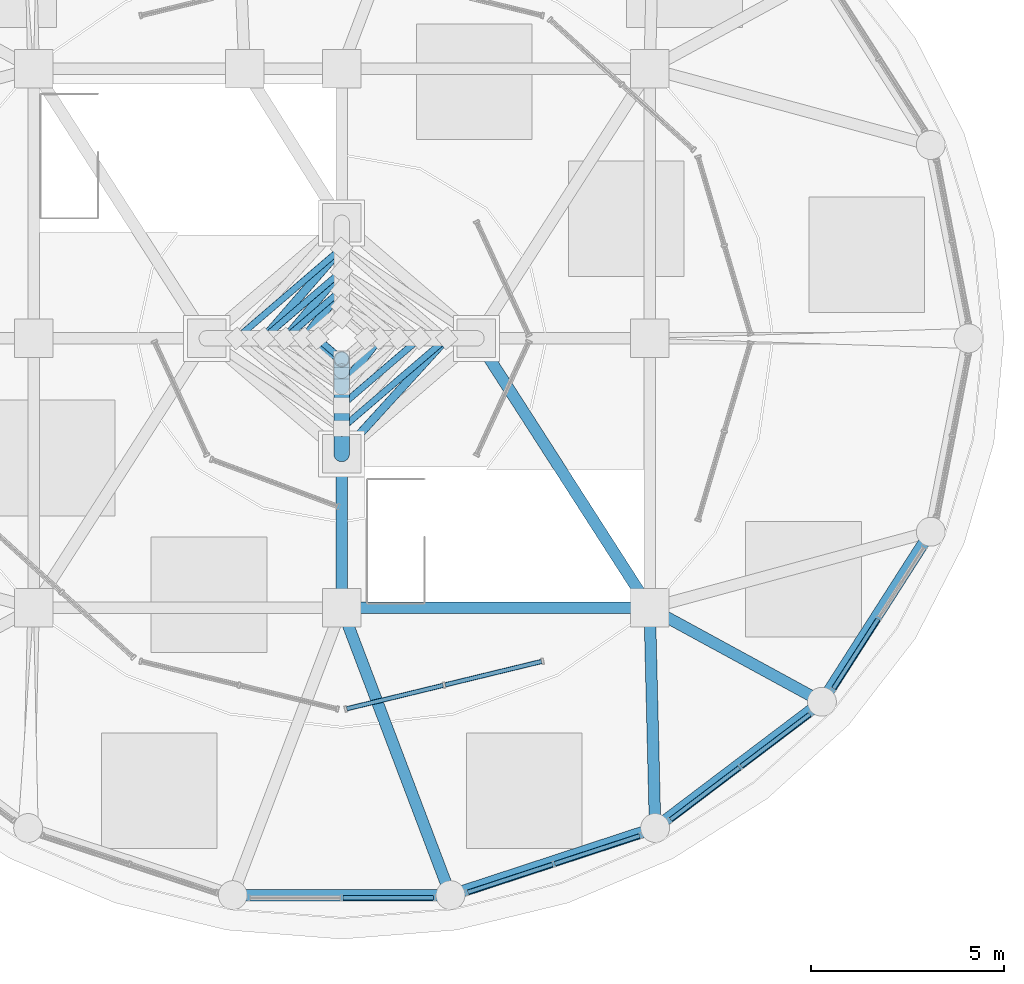
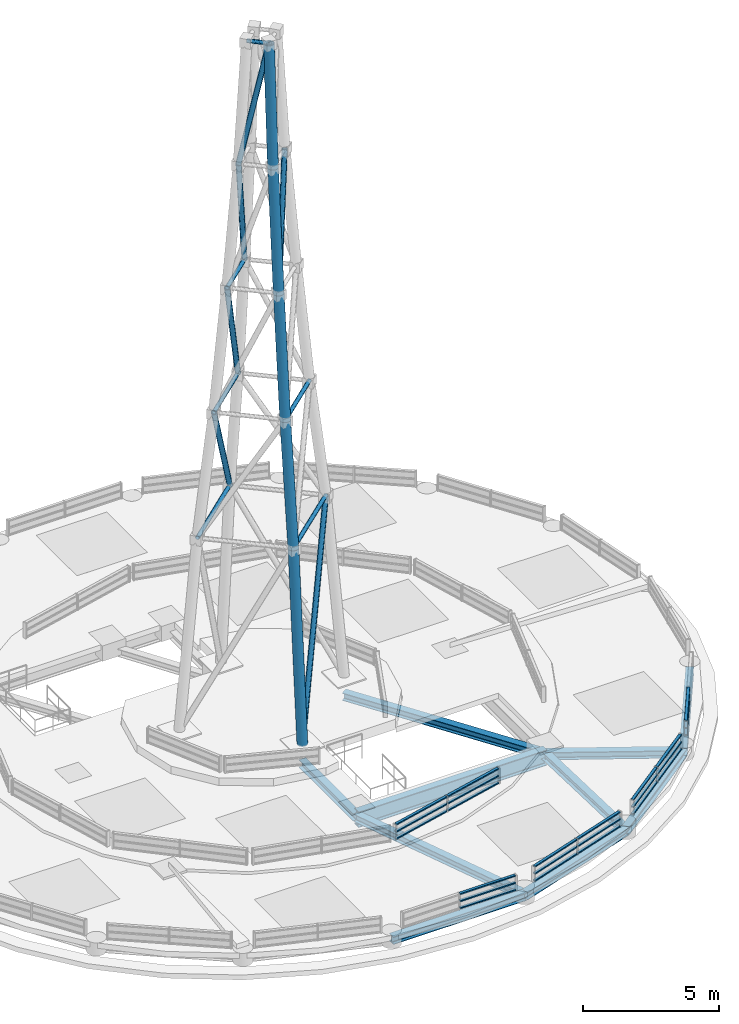
# One storey, part 3 of 21: 41 members, 10 beams, 5 elements without a shape of their own.
"""IFC4 building model written with IfcOpenShell, lengths in metres."""

from ifc_helpers import new_model, si_unit, direction, frame, origin, origin_2d, place, context, subcontext, project, spatial, hollow_rectangle, hollow_circle, i_section, extrude, material, layer, layer_set, material_profile, profile_set, type_object, element, aggregate, save


model = new_model("IFC4")

# Units and contexts
model_context = context("Model", 3, precision=1e-05, world=origin(), true_north=direction((0.0, 1.0)))
body_context = subcontext(model_context, "Body", "Model", "MODEL_VIEW")
ifc_project = project(units=[si_unit("LENGTHUNIT", "METRE"), si_unit("AREAUNIT", "SQUARE_METRE"), si_unit("VOLUMEUNIT", "CUBIC_METRE"), si_unit("PLANEANGLEUNIT", "RADIAN"), si_unit("MASSUNIT", "GRAM", prefix="KILO")], contexts=[model_context])

# Site, building, storey
site_placement = place(None, origin())
site = spatial("IfcSite", under=ifc_project, at=site_placement, CompositionType="ELEMENT")
building_placement = place(site_placement, origin())
building = spatial("IfcBuilding", under=site, at=building_placement, Name="Kelanora Arch Commons", CompositionType="ELEMENT")
storey_placement = place(building_placement, frame((0.0, 0.0, 311.10009765625)))
storey = spatial("IfcBuildingStorey", under=building, at=storey_placement, Name="RF", CompositionType="ELEMENT", Elevation=311.10009765625)

# Beams
ifc_material_1 = material(Name="Steel S355", Category="steel")
ifc_material_profile_1 = material_profile(ifc_material_1, i_section(OverallWidth=0.300048828125, OverallDepth=0.699951171875, WebThickness=0.01708984375, FlangeThickness=0.031982421875, FilletRadius=0.027099609375, at=origin_2d()), Name="HEB700")
ifc_profile_set_1 = profile_set([ifc_material_profile_1], Name="Steel S355")
beam_type_1 = type_object("IfcBeamType", Name="BM-CORE-HDR", PredefinedType="BEAM", material=ifc_profile_set_1)
beam_1_placement = place(storey_placement, frame((74.0, 51.0, 0.099853515625), z_axis=(1.0, 0.0, 0.0), x_axis=(0.0, 1.0, 0.0)))
element("IfcBeam", 1, at=beam_1_placement, inside=storey, type_object=beam_type_1, Name="Crown Mid Lantern Roof Ring 02", PredefinedType="BEAM", context=body_context, shape_type="SweptSolid", body=[
    extrude(i_section(OverallWidth=0.300048828125, OverallDepth=0.699951171875, WebThickness=0.01708984375, FlangeThickness=0.031982421875, FilletRadius=0.027099609375, at=origin_2d()), origin(), (0.0, 0.0, 1.0), 8.0),
])
ifc_material_profile_2 = material_profile(ifc_material_1, i_section(OverallWidth=0.300048828125, OverallDepth=0.340087890625, WebThickness=0.011962890625, FlangeThickness=0.021484375, FilletRadius=0.027099609375, at=origin_2d()), Name="HEB340")
ifc_profile_set_2 = profile_set([ifc_material_profile_2], Name="Steel S355")
beam_type_2 = type_object("IfcBeamType", Name="BM-DRUM-RING", PredefinedType="BEAM", material=ifc_profile_set_2)
beam_2_placement = place(storey_placement, frame((71.173095703125, 43.54296875, 0.179931640625), z_axis=(1.0, 0.0, 0.0), x_axis=(0.0, 1.0, 0.0)))
element("IfcBeam", 2, at=beam_2_placement, inside=storey, type_object=beam_type_2, Name="Crown Outer Lantern Ring Beam 26", PredefinedType="BEAM", context=body_context, shape_type="SweptSolid", body=[
    extrude(i_section(OverallWidth=0.300048828125, OverallDepth=0.340087890625, WebThickness=0.011962890625, FlangeThickness=0.021484375, FilletRadius=0.027099609375, at=origin_2d()), origin(), (0.0, 0.0, 1.0), 5.65380859375),
])
beam_3_placement = place(storey_placement, frame((76.826904296875, 43.54296875, 0.179931640625), z_axis=(0.950140083071, 0.311823383572, 0.0), x_axis=(-0.311823383572, 0.950140083071, 0.0)))
element("IfcBeam", 3, at=beam_3_placement, inside=storey, type_object=beam_type_2, Name="Crown Outer Lantern Ring Beam 28", PredefinedType="BEAM", context=body_context, shape_type="SweptSolid", body=[
    extrude(i_section(OverallWidth=0.300048828125, OverallDepth=0.340087890625, WebThickness=0.011962890625, FlangeThickness=0.021484375, FilletRadius=0.027099609375, at=origin_2d()), origin(), (0.0, 0.0, 1.0), 5.591796875),
])
beam_4_placement = place(storey_placement, frame((82.139892578125, 45.28662109375, 0.179931640625), z_axis=(0.797441458309, 0.603396321309, 0.0), x_axis=(-0.603396321309, 0.797441458309, 0.0)))
element("IfcBeam", 4, at=beam_4_placement, inside=storey, type_object=beam_type_2, Name="Crown Outer Lantern Ring Beam 30", PredefinedType="BEAM", context=body_context, shape_type="SweptSolid", body=[
    extrude(i_section(OverallWidth=0.300048828125, OverallDepth=0.340087890625, WebThickness=0.011962890625, FlangeThickness=0.021484375, FilletRadius=0.027099609375, at=origin_2d()), origin(), (0.0, 0.0, 1.0), 5.431396484375),
])
beam_5_placement = place(storey_placement, frame((86.47119140625, 48.56396484375, 0.179931640625), z_axis=(0.53922680048, 0.842160588987, 0.0), x_axis=(-0.842160588987, 0.53922680048, 0.0)))
element("IfcBeam", 5, at=beam_5_placement, inside=storey, type_object=beam_type_2, Name="Crown Outer Lantern Ring Beam 32", PredefinedType="BEAM", context=body_context, shape_type="SweptSolid", body=[
    extrude(i_section(OverallWidth=0.300048828125, OverallDepth=0.340087890625, WebThickness=0.011962890625, FlangeThickness=0.021484375, FilletRadius=0.027099609375, at=origin_2d()), origin(), (0.0, 0.0, 1.0), 5.242431640625),
])
beam_6_placement = place(storey_placement, frame((74.0, 51.0, 0.169921875), z_axis=(0.0, 1.0, 0.0), x_axis=(-1.0, 0.0, 0.0)))
element("IfcBeam", 6, at=beam_6_placement, inside=storey, type_object=beam_type_2, Name="Sloped Glass Crown Inner Rafter 08", PredefinedType="BEAM", context=body_context, shape_type="SweptSolid", body=[
    extrude(i_section(OverallWidth=0.300048828125, OverallDepth=0.340087890625, WebThickness=0.011962890625, FlangeThickness=0.021484375, FilletRadius=0.027099609375, at=origin_2d()), origin(), (0.0, 0.0, 1.0), 4.0),
])
beam_7_placement = place(storey_placement, frame((76.826904296875, 43.54296875, 0.169921875), z_axis=(-0.354476114465, 0.93506506954, 0.0), x_axis=(-0.93506506954, -0.354476114465, 0.0)))
element("IfcBeam", 7, at=beam_7_placement, inside=storey, type_object=beam_type_2, Name="Sloped Glass Crown Outer Rafter 15A", PredefinedType="BEAM", context=body_context, shape_type="SweptSolid", body=[
    extrude(i_section(OverallWidth=0.300048828125, OverallDepth=0.340087890625, WebThickness=0.011962890625, FlangeThickness=0.021484375, FilletRadius=0.027099609375, at=origin_2d()), origin(), (0.0, 0.0, 1.0), 7.974853515625),
])
beam_8_placement = place(storey_placement, frame((82.139892578125, 45.28662109375, 0.169921875), z_axis=(-0.0244777504, 0.99970037498, 0.0), x_axis=(-0.99970037498, -0.0244777504, 0.0)))
element("IfcBeam", 8, at=beam_8_placement, inside=storey, type_object=beam_type_2, Name="Sloped Glass Crown Outer Rafter 16A", PredefinedType="BEAM", context=body_context, shape_type="SweptSolid", body=[
    extrude(i_section(OverallWidth=0.300048828125, OverallDepth=0.340087890625, WebThickness=0.011962890625, FlangeThickness=0.021484375, FilletRadius=0.027099609375, at=origin_2d()), origin(), (0.0, 0.0, 1.0), 5.715087890625),
])
beam_9_placement = place(storey_placement, frame((82.0, 51.0, 0.169921875), z_axis=(-0.540757591313, 0.841178475377, 0.0), x_axis=(-0.841178475377, -0.540757591313, 0.0)))
element("IfcBeam", 9, at=beam_9_placement, inside=storey, type_object=beam_type_2, Name="Sloped Glass Crown Inner Rafter 09", PredefinedType="BEAM", context=body_context, shape_type="SweptSolid", body=[
    extrude(i_section(OverallWidth=0.300048828125, OverallDepth=0.340087890625, WebThickness=0.011962890625, FlangeThickness=0.021484375, FilletRadius=0.027099609375, at=origin_2d()), origin(), (0.0, 0.0, 1.0), 8.32177734375),
])
beam_10_placement = place(storey_placement, frame((86.47119140625, 48.56396484375, 0.169921875), z_axis=(-0.878126355987, 0.478428785631, 0.0), x_axis=(-0.478428785631, -0.878126355987, 0.0)))
element("IfcBeam", 10, at=beam_10_placement, inside=storey, type_object=beam_type_2, Name="Sloped Glass Crown Outer Rafter 17A", PredefinedType="BEAM", context=body_context, shape_type="SweptSolid", body=[
    extrude(i_section(OverallWidth=0.300048828125, OverallDepth=0.340087890625, WebThickness=0.011962890625, FlangeThickness=0.021484375, FilletRadius=0.027099609375, at=origin_2d()), origin(), (0.0, 0.0, 1.0), 5.091796875),
])

# Curtain wall, members
ifc_material_2 = material(Name="Terracotta ceramic-fritted low-E glass and aluminium", Category="masonry")
ifc_layer = layer(ifc_material_2, 0.14990234375)
ifc_layer_set = layer_set([ifc_layer], Name="Terracotta ceramic-fritted low-E glass and aluminium")
curtain_wall_type = type_object("IfcCurtainWallType", Name="CW-SYS-06", PredefinedType="NOTDEFINED", material=ifc_layer_set)
curtain_wall_1_placement = place(storey_placement, origin())
curtain_wall_1 = element("IfcCurtainWall", 11, at=curtain_wall_1_placement, inside=storey, type_object=curtain_wall_type, Name="Sloped Glass Crown Lantern T1-14", PredefinedType="NOTDEFINED")
ifc_material_3 = material(Name="Powder-coated aluminium terracotta", Category="masonry")
ifc_material_profile_3 = material_profile(ifc_material_3, hollow_rectangle(XDim=0.1201171875, YDim=0.06005859375, WallThickness=0.0048828125, InnerFilletRadius=0.0048828125, OuterFilletRadius=0.010009765625, at=origin_2d()), Name="CWT120x60")
ifc_profile_set_3 = profile_set([ifc_material_profile_3], Name="Powder-coated aluminium terracotta")
member_type_1 = type_object("IfcMemberType", Name="CWT-STD", PredefinedType="USERDEFINED", material=ifc_profile_set_3)
member_1_placement = place(storey_placement, frame((74.030029296875, 43.47412109375, 0.619873046875), z_axis=(1.0, 0.0, 0.0), x_axis=(0.0, 1.0, 0.0)))
member_1 = element("IfcMember", 12, at=member_1_placement, type_object=member_type_1, Name="CW-06 transom 2.1", ObjectType="TRANSOM", PredefinedType="USERDEFINED", context=body_context, shape_type="SweptSolid", body=[
    extrude(hollow_rectangle(XDim=0.1201171875, YDim=0.06005859375, WallThickness=0.0048828125, InnerFilletRadius=0.0048828125, OuterFilletRadius=0.010009765625, at=origin_2d()), origin(), (0.0, 0.0, 1.0), 2.34912109375),
])
member_2_placement = place(storey_placement, frame((74.030029296875, 43.47412109375, 0.93994140625), z_axis=(1.0, 0.0, 0.0), x_axis=(0.0, 1.0, 0.0)))
member_2 = element("IfcMember", 13, at=member_2_placement, type_object=member_type_1, Name="CW-06 transom 2.2", ObjectType="TRANSOM", PredefinedType="USERDEFINED", context=body_context, shape_type="SweptSolid", body=[
    extrude(hollow_rectangle(XDim=0.1201171875, YDim=0.06005859375, WallThickness=0.0048828125, InnerFilletRadius=0.0048828125, OuterFilletRadius=0.010009765625, at=origin_2d()), origin(), (0.0, 0.0, 1.0), 2.34912109375),
])
member_3_placement = place(storey_placement, frame((74.030029296875, 43.47412109375, 1.260009765625), z_axis=(1.0, 0.0, 0.0), x_axis=(0.0, 1.0, 0.0)))
member_3 = element("IfcMember", 14, at=member_3_placement, type_object=member_type_1, Name="CW-06 transom 2.3", ObjectType="TRANSOM", PredefinedType="USERDEFINED", context=body_context, shape_type="SweptSolid", body=[
    extrude(hollow_rectangle(XDim=0.1201171875, YDim=0.06005859375, WallThickness=0.0048828125, InnerFilletRadius=0.0048828125, OuterFilletRadius=0.010009765625, at=origin_2d()), origin(), (0.0, 0.0, 1.0), 2.34912109375),
])
aggregate(curtain_wall_1, [member_1, member_2, member_3])

curtain_wall_2_placement = place(storey_placement, origin())
curtain_wall_2 = element("IfcCurtainWall", 15, at=curtain_wall_2_placement, inside=storey, type_object=curtain_wall_type, Name="Sloped Glass Crown Lantern T1-15", PredefinedType="NOTDEFINED")
member_4_placement = place(storey_placement, frame((77.276123046875, 43.61767578125, 0.619873046875), z_axis=(0.950095534475, 0.311959092464, 0.0), x_axis=(-0.311959092464, 0.950095534475, 0.0)))
member_4 = element("IfcMember", 16, at=member_4_placement, type_object=member_type_1, Name="CW-06 transom 1.1", ObjectType="TRANSOM", PredefinedType="USERDEFINED", context=body_context, shape_type="SweptSolid", body=[
    extrude(hollow_rectangle(XDim=0.1201171875, YDim=0.06005859375, WallThickness=0.0048828125, InnerFilletRadius=0.0048828125, OuterFilletRadius=0.010009765625, at=origin_2d()), origin(), (0.0, 0.0, 1.0), 2.318115234375),
])
member_5_placement = place(storey_placement, frame((77.276123046875, 43.61767578125, 0.93994140625), z_axis=(0.950095534475, 0.311959092464, 0.0), x_axis=(-0.311959092464, 0.950095534475, 0.0)))
member_5 = element("IfcMember", 17, at=member_5_placement, type_object=member_type_1, Name="CW-06 transom 1.2", ObjectType="TRANSOM", PredefinedType="USERDEFINED", context=body_context, shape_type="SweptSolid", body=[
    extrude(hollow_rectangle(XDim=0.1201171875, YDim=0.06005859375, WallThickness=0.0048828125, InnerFilletRadius=0.0048828125, OuterFilletRadius=0.010009765625, at=origin_2d()), origin(), (0.0, 0.0, 1.0), 2.318115234375),
])
member_6_placement = place(storey_placement, frame((77.276123046875, 43.61767578125, 1.260009765625), z_axis=(0.950095534475, 0.311959092464, 0.0), x_axis=(-0.311959092464, 0.950095534475, 0.0)))
member_6 = element("IfcMember", 18, at=member_6_placement, type_object=member_type_1, Name="CW-06 transom 1.3", ObjectType="TRANSOM", PredefinedType="USERDEFINED", context=body_context, shape_type="SweptSolid", body=[
    extrude(hollow_rectangle(XDim=0.1201171875, YDim=0.06005859375, WallThickness=0.0048828125, InnerFilletRadius=0.0048828125, OuterFilletRadius=0.010009765625, at=origin_2d()), origin(), (0.0, 0.0, 1.0), 2.318115234375),
])
member_7_placement = place(storey_placement, frame((79.53564453125, 44.359375, 0.619873046875), z_axis=(0.950095534475, 0.311959092464, 0.0), x_axis=(-0.311959092464, 0.950095534475, 0.0)))
member_7 = element("IfcMember", 19, at=member_7_placement, type_object=member_type_1, Name="CW-06 transom 2.1", ObjectType="TRANSOM", PredefinedType="USERDEFINED", context=body_context, shape_type="SweptSolid", body=[
    extrude(hollow_rectangle(XDim=0.1201171875, YDim=0.06005859375, WallThickness=0.0048828125, InnerFilletRadius=0.0048828125, OuterFilletRadius=0.010009765625, at=origin_2d()), origin(), (0.0, 0.0, 1.0), 2.318115234375),
])
member_8_placement = place(storey_placement, frame((79.53564453125, 44.359375, 0.93994140625), z_axis=(0.950095534475, 0.311959092464, 0.0), x_axis=(-0.311959092464, 0.950095534475, 0.0)))
member_8 = element("IfcMember", 20, at=member_8_placement, type_object=member_type_1, Name="CW-06 transom 2.2", ObjectType="TRANSOM", PredefinedType="USERDEFINED", context=body_context, shape_type="SweptSolid", body=[
    extrude(hollow_rectangle(XDim=0.1201171875, YDim=0.06005859375, WallThickness=0.0048828125, InnerFilletRadius=0.0048828125, OuterFilletRadius=0.010009765625, at=origin_2d()), origin(), (0.0, 0.0, 1.0), 2.318115234375),
])
member_9_placement = place(storey_placement, frame((79.53564453125, 44.359375, 1.260009765625), z_axis=(0.950095534475, 0.311959092464, 0.0), x_axis=(-0.311959092464, 0.950095534475, 0.0)))
member_9 = element("IfcMember", 21, at=member_9_placement, type_object=member_type_1, Name="CW-06 transom 2.3", ObjectType="TRANSOM", PredefinedType="USERDEFINED", context=body_context, shape_type="SweptSolid", body=[
    extrude(hollow_rectangle(XDim=0.1201171875, YDim=0.06005859375, WallThickness=0.0048828125, InnerFilletRadius=0.0048828125, OuterFilletRadius=0.010009765625, at=origin_2d()), origin(), (0.0, 0.0, 1.0), 2.318115234375),
])
aggregate(curtain_wall_2, [member_4, member_5, member_6, member_7, member_8, member_9])

curtain_wall_3_placement = place(storey_placement, origin())
curtain_wall_3 = element("IfcCurtainWall", 22, at=curtain_wall_3_placement, inside=storey, type_object=curtain_wall_type, Name="Sloped Glass Crown Lantern T1-16", PredefinedType="NOTDEFINED")
member_10_placement = place(storey_placement, frame((82.541748046875, 45.503662109375, 0.619873046875), z_axis=(0.797268741575, 0.603624513839, 0.0), x_axis=(-0.603624513839, 0.797268741575, 0.0)))
member_10 = element("IfcMember", 23, at=member_10_placement, type_object=member_type_1, Name="CW-06 transom 1.1", ObjectType="TRANSOM", PredefinedType="USERDEFINED", context=body_context, shape_type="SweptSolid", body=[
    extrude(hollow_rectangle(XDim=0.1201171875, YDim=0.06005859375, WallThickness=0.0048828125, InnerFilletRadius=0.0048828125, OuterFilletRadius=0.010009765625, at=origin_2d()), origin(), (0.0, 0.0, 1.0), 2.23779296875),
])
member_11_placement = place(storey_placement, frame((82.541748046875, 45.503662109375, 0.93994140625), z_axis=(0.797268741575, 0.603624513839, 0.0), x_axis=(-0.603624513839, 0.797268741575, 0.0)))
member_11 = element("IfcMember", 24, at=member_11_placement, type_object=member_type_1, Name="CW-06 transom 1.2", ObjectType="TRANSOM", PredefinedType="USERDEFINED", context=body_context, shape_type="SweptSolid", body=[
    extrude(hollow_rectangle(XDim=0.1201171875, YDim=0.06005859375, WallThickness=0.0048828125, InnerFilletRadius=0.0048828125, OuterFilletRadius=0.010009765625, at=origin_2d()), origin(), (0.0, 0.0, 1.0), 2.23779296875),
])
member_12_placement = place(storey_placement, frame((82.541748046875, 45.503662109375, 1.260009765625), z_axis=(0.797268741575, 0.603624513839, 0.0), x_axis=(-0.603624513839, 0.797268741575, 0.0)))
member_12 = element("IfcMember", 25, at=member_12_placement, type_object=member_type_1, Name="CW-06 transom 1.3", ObjectType="TRANSOM", PredefinedType="USERDEFINED", context=body_context, shape_type="SweptSolid", body=[
    extrude(hollow_rectangle(XDim=0.1201171875, YDim=0.06005859375, WallThickness=0.0048828125, InnerFilletRadius=0.0048828125, OuterFilletRadius=0.010009765625, at=origin_2d()), origin(), (0.0, 0.0, 1.0), 2.23779296875),
])
member_13_placement = place(storey_placement, frame((84.373779296875, 46.890625, 0.619873046875), z_axis=(0.797321244253, 0.603555161906, 0.0), x_axis=(-0.603555161906, 0.797321244253, 0.0)))
member_13 = element("IfcMember", 26, at=member_13_placement, type_object=member_type_1, Name="CW-06 transom 2.1", ObjectType="TRANSOM", PredefinedType="USERDEFINED", context=body_context, shape_type="SweptSolid", body=[
    extrude(hollow_rectangle(XDim=0.1201171875, YDim=0.06005859375, WallThickness=0.0048828125, InnerFilletRadius=0.0048828125, OuterFilletRadius=0.010009765625, at=origin_2d()), origin(), (0.0, 0.0, 1.0), 2.23779296875),
])
member_14_placement = place(storey_placement, frame((84.373779296875, 46.890625, 0.93994140625), z_axis=(0.797321244253, 0.603555161906, 0.0), x_axis=(-0.603555161906, 0.797321244253, 0.0)))
member_14 = element("IfcMember", 27, at=member_14_placement, type_object=member_type_1, Name="CW-06 transom 2.2", ObjectType="TRANSOM", PredefinedType="USERDEFINED", context=body_context, shape_type="SweptSolid", body=[
    extrude(hollow_rectangle(XDim=0.1201171875, YDim=0.06005859375, WallThickness=0.0048828125, InnerFilletRadius=0.0048828125, OuterFilletRadius=0.010009765625, at=origin_2d()), origin(), (0.0, 0.0, 1.0), 2.23779296875),
])
member_15_placement = place(storey_placement, frame((84.373779296875, 46.890625, 1.260009765625), z_axis=(0.797321244253, 0.603555161906, 0.0), x_axis=(-0.603555161906, 0.797321244253, 0.0)))
member_15 = element("IfcMember", 28, at=member_15_placement, type_object=member_type_1, Name="CW-06 transom 2.3", ObjectType="TRANSOM", PredefinedType="USERDEFINED", context=body_context, shape_type="SweptSolid", body=[
    extrude(hollow_rectangle(XDim=0.1201171875, YDim=0.06005859375, WallThickness=0.0048828125, InnerFilletRadius=0.0048828125, OuterFilletRadius=0.010009765625, at=origin_2d()), origin(), (0.0, 0.0, 1.0), 2.23779296875),
])
aggregate(curtain_wall_3, [member_10, member_11, member_12, member_13, member_14, member_15])

curtain_wall_4_placement = place(storey_placement, origin())
curtain_wall_4 = element("IfcCurtainWall", 29, at=curtain_wall_4_placement, inside=storey, type_object=curtain_wall_type, Name="Sloped Glass Crown Lantern T1-17", PredefinedType="NOTDEFINED")
member_16_placement = place(storey_placement, frame((86.772705078125, 48.90625, 0.619873046875), z_axis=(0.539069856372, 0.842261058076, 0.0), x_axis=(-0.842261058076, 0.539069856372, 0.0)))
member_16 = element("IfcMember", 30, at=member_16_placement, type_object=member_type_1, Name="CW-06 transom 1.1", ObjectType="TRANSOM", PredefinedType="USERDEFINED", context=body_context, shape_type="SweptSolid", body=[
    extrude(hollow_rectangle(XDim=0.1201171875, YDim=0.06005859375, WallThickness=0.0048828125, InnerFilletRadius=0.0048828125, OuterFilletRadius=0.010009765625, at=origin_2d()), origin(), (0.0, 0.0, 1.0), 2.1435546875),
])
member_17_placement = place(storey_placement, frame((86.772705078125, 48.90625, 0.93994140625), z_axis=(0.539069856372, 0.842261058076, 0.0), x_axis=(-0.842261058076, 0.539069856372, 0.0)))
member_17 = element("IfcMember", 31, at=member_17_placement, type_object=member_type_1, Name="CW-06 transom 1.2", ObjectType="TRANSOM", PredefinedType="USERDEFINED", context=body_context, shape_type="SweptSolid", body=[
    extrude(hollow_rectangle(XDim=0.1201171875, YDim=0.06005859375, WallThickness=0.0048828125, InnerFilletRadius=0.0048828125, OuterFilletRadius=0.010009765625, at=origin_2d()), origin(), (0.0, 0.0, 1.0), 2.1435546875),
])
member_18_placement = place(storey_placement, frame((86.772705078125, 48.90625, 1.260009765625), z_axis=(0.539069856372, 0.842261058076, 0.0), x_axis=(-0.842261058076, 0.539069856372, 0.0)))
member_18 = element("IfcMember", 32, at=member_18_placement, type_object=member_type_1, Name="CW-06 transom 1.3", ObjectType="TRANSOM", PredefinedType="USERDEFINED", context=body_context, shape_type="SweptSolid", body=[
    extrude(hollow_rectangle(XDim=0.1201171875, YDim=0.06005859375, WallThickness=0.0048828125, InnerFilletRadius=0.0048828125, OuterFilletRadius=0.010009765625, at=origin_2d()), origin(), (0.0, 0.0, 1.0), 2.1435546875),
])
aggregate(curtain_wall_4, [member_16, member_17, member_18])

curtain_wall_5_placement = place(storey_placement, origin())
curtain_wall_5 = element("IfcCurtainWall", 33, at=curtain_wall_5_placement, inside=storey, type_object=curtain_wall_type, Name="Sloped Glass Crown Lantern T2-10", PredefinedType="NOTDEFINED")
member_19_placement = place(storey_placement, frame((74.135986328125, 48.383056640625, 0.719970703125), z_axis=(0.971779531305, 0.235890954759, 0.0), x_axis=(-0.235890954759, 0.971779531305, 0.0)))
member_19 = element("IfcMember", 34, at=member_19_placement, type_object=member_type_1, Name="CW-06 transom 1.1", ObjectType="TRANSOM", PredefinedType="USERDEFINED", context=body_context, shape_type="SweptSolid", body=[
    extrude(hollow_rectangle(XDim=0.1201171875, YDim=0.06005859375, WallThickness=0.0048828125, InnerFilletRadius=0.0048828125, OuterFilletRadius=0.010009765625, at=origin_2d()), origin(), (0.0, 0.0, 1.0), 2.56982421875),
])
member_20_placement = place(storey_placement, frame((74.135986328125, 48.383056640625, 1.039794921875), z_axis=(0.971779531305, 0.235890954759, 0.0), x_axis=(-0.235890954759, 0.971779531305, 0.0)))
member_20 = element("IfcMember", 35, at=member_20_placement, type_object=member_type_1, Name="CW-06 transom 1.2", ObjectType="TRANSOM", PredefinedType="USERDEFINED", context=body_context, shape_type="SweptSolid", body=[
    extrude(hollow_rectangle(XDim=0.1201171875, YDim=0.06005859375, WallThickness=0.0048828125, InnerFilletRadius=0.0048828125, OuterFilletRadius=0.010009765625, at=origin_2d()), origin(), (0.0, 0.0, 1.0), 2.56982421875),
])
member_21_placement = place(storey_placement, frame((74.135986328125, 48.383056640625, 1.35986328125), z_axis=(0.971779531305, 0.235890954759, 0.0), x_axis=(-0.235890954759, 0.971779531305, 0.0)))
member_21 = element("IfcMember", 36, at=member_21_placement, type_object=member_type_1, Name="CW-06 transom 1.3", ObjectType="TRANSOM", PredefinedType="USERDEFINED", context=body_context, shape_type="SweptSolid", body=[
    extrude(hollow_rectangle(XDim=0.1201171875, YDim=0.06005859375, WallThickness=0.0048828125, InnerFilletRadius=0.0048828125, OuterFilletRadius=0.010009765625, at=origin_2d()), origin(), (0.0, 0.0, 1.0), 2.56982421875),
])
member_22_placement = place(storey_placement, frame((76.691650390625, 49.00341796875, 0.719970703125), z_axis=(0.971757749872, 0.235980667776, 0.0), x_axis=(-0.235980667776, 0.971757749872, 0.0)))
member_22 = element("IfcMember", 37, at=member_22_placement, type_object=member_type_1, Name="CW-06 transom 2.1", ObjectType="TRANSOM", PredefinedType="USERDEFINED", context=body_context, shape_type="SweptSolid", body=[
    extrude(hollow_rectangle(XDim=0.1201171875, YDim=0.06005859375, WallThickness=0.0048828125, InnerFilletRadius=0.0048828125, OuterFilletRadius=0.010009765625, at=origin_2d()), origin(), (0.0, 0.0, 1.0), 2.56982421875),
])
member_23_placement = place(storey_placement, frame((76.691650390625, 49.00341796875, 1.039794921875), z_axis=(0.971757749872, 0.235980667776, 0.0), x_axis=(-0.235980667776, 0.971757749872, 0.0)))
member_23 = element("IfcMember", 38, at=member_23_placement, type_object=member_type_1, Name="CW-06 transom 2.2", ObjectType="TRANSOM", PredefinedType="USERDEFINED", context=body_context, shape_type="SweptSolid", body=[
    extrude(hollow_rectangle(XDim=0.1201171875, YDim=0.06005859375, WallThickness=0.0048828125, InnerFilletRadius=0.0048828125, OuterFilletRadius=0.010009765625, at=origin_2d()), origin(), (0.0, 0.0, 1.0), 2.56982421875),
])
member_24_placement = place(storey_placement, frame((76.691650390625, 49.00341796875, 1.35986328125), z_axis=(0.971757749872, 0.235980667776, 0.0), x_axis=(-0.235980667776, 0.971757749872, 0.0)))
member_24 = element("IfcMember", 39, at=member_24_placement, type_object=member_type_1, Name="CW-06 transom 2.3", ObjectType="TRANSOM", PredefinedType="USERDEFINED", context=body_context, shape_type="SweptSolid", body=[
    extrude(hollow_rectangle(XDim=0.1201171875, YDim=0.06005859375, WallThickness=0.0048828125, InnerFilletRadius=0.0048828125, OuterFilletRadius=0.010009765625, at=origin_2d()), origin(), (0.0, 0.0, 1.0), 2.56982421875),
])
aggregate(curtain_wall_5, [member_19, member_20, member_21, member_22, member_23, member_24])

# Members
ifc_material_profile_4 = material_profile(ifc_material_1, hollow_circle(Radius=0.109619140625, WallThickness=0.010009765625, at=origin_2d()), Name="CHS219.1x10")
ifc_profile_set_4 = profile_set([ifc_material_profile_4], Name="Steel S355")
member_type_2 = type_object("IfcMemberType", Name="MEM-MAST-DIAG", PredefinedType="USERDEFINED", material=ifc_profile_set_4)
member_25_placement = place(storey_placement, frame((74.0, 55.0, 1.0), z_axis=(0.292665869863, 0.321613146921, 0.900506342201), x_axis=(-0.739607715686, 0.67303820612, 0.0)))
element("IfcMember", 40, at=member_25_placement, inside=storey, type_object=member_type_2, Name="Broadcast Mast Lattice Brace T1-1", ObjectType="MAST", PredefinedType="USERDEFINED", context=body_context, shape_type="SweptSolid", body=[
    extrude(hollow_circle(Radius=0.109619140625, WallThickness=0.010009765625, at=origin_2d()), origin(), (0.0, 0.0, 1.0), 9.327880859375),
])
member_26_placement = place(storey_placement, frame((74.0, 60.340087890625, 9.39990234375), z_axis=(-0.326086612099, -0.37589178316, 0.867394309851), x_axis=(0.755376964404, -0.655290501723, 0.0)))
element("IfcMember", 41, at=member_26_placement, inside=storey, type_object=member_type_2, Name="Broadcast Mast Lattice Brace T2-3", ObjectType="MAST", PredefinedType="USERDEFINED", context=body_context, shape_type="SweptSolid", body=[
    extrude(hollow_circle(Radius=0.109619140625, WallThickness=0.010009765625, at=origin_2d()), origin(), (0.0, 0.0, 1.0), 6.225341796875),
])
member_27_placement = place(storey_placement, frame((74.0, 59.739990234375, 14.7998046875), z_axis=(-0.250810404827, -0.296881872646, 0.921387700442), x_axis=(0.763890180554, -0.645346257488, 0.0)))
element("IfcMember", 42, at=member_27_placement, inside=storey, type_object=member_type_2, Name="Broadcast Mast Lattice Brace T3-3", ObjectType="MAST", PredefinedType="USERDEFINED", context=body_context, shape_type="SweptSolid", body=[
    extrude(hollow_circle(Radius=0.109619140625, WallThickness=0.010009765625, at=origin_2d()), origin(), (0.0, 0.0, 1.0), 5.86083984375),
])
for number, where, z_axis, x_axis, name in (
    (43, (74.0, 56.739990234375, 20.199951171875), (0.174036488473, 0.223767393376, 0.958978338828), (-0.789360452923, 0.613930024808, 0.0), "Broadcast Mast Lattice Brace T4-1"),
    (44, (74.0, 59.260009765625, 20.199951171875), (-0.174036488473, -0.223767393376, 0.958978338828), (0.789360452923, -0.613930024808, 0.0), "Broadcast Mast Lattice Brace T4-3"),
):
    element("IfcMember", number, at=place(storey_placement, frame(where, z_axis=z_axis, x_axis=x_axis)), inside=storey, type_object=member_type_2, Name=name, ObjectType="MAST", PredefinedType="USERDEFINED", context=body_context, shape_type="SweptSolid", body=[
        extrude(hollow_circle(Radius=0.109619140625, WallThickness=0.010009765625, at=origin_2d()), origin(), (0.0, 0.0, 1.0), 5.630859375),
    ])
member_28_placement = place(storey_placement, frame((73.02001953125, 58.0, 25.599853515625), z_axis=(0.177698436045, -0.097924499385, 0.979200724186), x_axis=(0.482638911006, 0.875819434349, 0.0)))
element("IfcMember", 45, at=member_28_placement, inside=storey, type_object=member_type_2, Name="Broadcast Mast Lattice Brace T5-4", ObjectType="MAST", PredefinedType="USERDEFINED", context=body_context, shape_type="SweptSolid", body=[
    extrude(hollow_circle(Radius=0.109619140625, WallThickness=0.010009765625, at=origin_2d()), origin(), (0.0, 0.0, 1.0), 5.514892578125),
])
ifc_material_profile_5 = material_profile(ifc_material_1, hollow_circle(Radius=0.084228515625, WallThickness=0.008056640625, at=origin_2d()), Name="CHS168.3x8")
ifc_profile_set_5 = profile_set([ifc_material_profile_5], Name="Steel S355")
member_type_3 = type_object("IfcMemberType", Name="MEM-MAST-GIRT", PredefinedType="USERDEFINED", material=ifc_profile_set_5)
for number, where, z_axis, x_axis, name in (
    (46, (74.0, 55.659912109375, 9.39990234375), (0.759242223651, 0.650808148247, 0.0), (-0.650808148247, 0.759242223651, 0.0), "Broadcast Mast Horizontal Girt T1-1"),
    (47, (74.0, 60.340087890625, 9.39990234375), (-0.759242223651, -0.650808148247, 0.0), (0.650808148247, -0.759242223651, 0.0), "Broadcast Mast Horizontal Girt T1-3"),
):
    element("IfcMember", number, at=place(storey_placement, frame(where, z_axis=z_axis, x_axis=x_axis)), inside=storey, type_object=member_type_3, Name=name, ObjectType="MAST", PredefinedType="USERDEFINED", context=body_context, shape_type="SweptSolid", body=[
        extrude(hollow_circle(Radius=0.084228515625, WallThickness=0.008056640625, at=origin_2d()), origin(), (0.0, 0.0, 1.0), 3.595703125),
    ])
for number, where, z_axis, x_axis, name in (
    (48, (74.0, 56.260009765625, 14.7998046875), (0.759263047913, 0.650783853575, 0.0), (-0.650783853575, 0.759263047913, 0.0), "Broadcast Mast Horizontal Girt T2-1"),
    (49, (74.0, 59.739990234375, 14.7998046875), (-0.759263047913, -0.650783853575, 0.0), (0.650783853575, -0.759263047913, 0.0), "Broadcast Mast Horizontal Girt T2-3"),
):
    element("IfcMember", number, at=place(storey_placement, frame(where, z_axis=z_axis, x_axis=x_axis)), inside=storey, type_object=member_type_3, Name=name, ObjectType="MAST", PredefinedType="USERDEFINED", context=body_context, shape_type="SweptSolid", body=[
        extrude(hollow_circle(Radius=0.084228515625, WallThickness=0.008056640625, at=origin_2d()), origin(), (0.0, 0.0, 1.0), 2.673583984375),
    ])
member_29_placement = place(storey_placement, frame((74.0, 59.260009765625, 20.199951171875), z_axis=(-0.759247701122, -0.650801758096, 0.0), x_axis=(0.650801758096, -0.759247701122, 0.0)))
element("IfcMember", 50, at=member_29_placement, inside=storey, type_object=member_type_3, Name="Broadcast Mast Horizontal Girt T3-3", ObjectType="MAST", PredefinedType="USERDEFINED", context=body_context, shape_type="SweptSolid", body=[
    extrude(hollow_circle(Radius=0.084228515625, WallThickness=0.008056640625, at=origin_2d()), origin(), (0.0, 0.0, 1.0), 1.93603515625),
])
member_30_placement = place(storey_placement, frame((73.3701171875, 58.0, 31.0), z_axis=(0.759173512893, -0.650888298651, 0.0), x_axis=(0.650888298651, 0.759173512893, 0.0)))
element("IfcMember", 51, at=member_30_placement, inside=storey, type_object=member_type_3, Name="Broadcast Mast Horizontal Girt T5-4", ObjectType="MAST", PredefinedType="USERDEFINED", context=body_context, shape_type="SweptSolid", body=[
    extrude(hollow_circle(Radius=0.084228515625, WallThickness=0.008056640625, at=origin_2d()), origin(), (0.0, 0.0, 1.0), 0.82958984375),
])
ifc_material_profile_6 = material_profile(ifc_material_1, hollow_circle(Radius=0.203125, WallThickness=0.02001953125, at=origin_2d()), Name="CHS406.4x20")
ifc_profile_set_6 = profile_set([ifc_material_profile_6], Name="Steel S355")
member_type_4 = type_object("IfcMemberType", Name="MEM-MAST-LEG", PredefinedType="USERDEFINED", material=ifc_profile_set_6)
member_31_placement = place(storey_placement, frame((74.0, 55.0, 1.0), z_axis=(0.0, 0.078320554522, 0.996928227476), x_axis=(-1.0, 0.0, 0.0)))
element("IfcMember", 52, at=member_31_placement, inside=storey, type_object=member_type_4, Name="Broadcast Mast Corner Leg T1-1", ObjectType="MAST", PredefinedType="USERDEFINED", context=body_context, shape_type="SweptSolid", body=[
    extrude(hollow_circle(Radius=0.203125, WallThickness=0.02001953125, at=origin_2d()), origin(), (0.0, 0.0, 1.0), 8.42578125),
])
member_32_placement = place(storey_placement, frame((74.0, 55.659912109375, 9.39990234375), z_axis=(0.0, 0.110451253797, 0.993881542506), x_axis=(-1.0, 0.0, 0.0)))
element("IfcMember", 53, at=member_32_placement, inside=storey, type_object=member_type_4, Name="Broadcast Mast Corner Leg T2-1", ObjectType="MAST", PredefinedType="USERDEFINED", context=body_context, shape_type="SweptSolid", body=[
    extrude(hollow_circle(Radius=0.203125, WallThickness=0.02001953125, at=origin_2d()), origin(), (0.0, 0.0, 1.0), 5.43310546875),
])
member_33_placement = place(storey_placement, frame((74.0, 56.260009765625, 14.7998046875), z_axis=(0.0, 0.088533833023, 0.996073170209), x_axis=(-1.0, 0.0, 0.0)))
element("IfcMember", 54, at=member_33_placement, inside=storey, type_object=member_type_4, Name="Broadcast Mast Corner Leg T3-1", ObjectType="MAST", PredefinedType="USERDEFINED", context=body_context, shape_type="SweptSolid", body=[
    extrude(hollow_circle(Radius=0.203125, WallThickness=0.02001953125, at=origin_2d()), origin(), (0.0, 0.0, 1.0), 5.42138671875),
])
member_34_placement = place(storey_placement, frame((74.0, 56.739990234375, 20.199951171875), z_axis=(0.0, 0.07753064236, 0.996989969606), x_axis=(-1.0, 0.0, 0.0)))
element("IfcMember", 55, at=member_34_placement, inside=storey, type_object=member_type_4, Name="Broadcast Mast Corner Leg T4-1", ObjectType="MAST", PredefinedType="USERDEFINED", context=body_context, shape_type="SweptSolid", body=[
    extrude(hollow_circle(Radius=0.203125, WallThickness=0.02001953125, at=origin_2d()), origin(), (0.0, 0.0, 1.0), 5.416259765625),
])
member_35_placement = place(storey_placement, frame((74.0, 57.159912109375, 25.599853515625), z_axis=(0.0, 0.055477519868, 0.998459936497), x_axis=(-1.0, 0.0, 0.0)))
element("IfcMember", 56, at=member_35_placement, inside=storey, type_object=member_type_4, Name="Broadcast Mast Corner Leg T5-1", ObjectType="MAST", PredefinedType="USERDEFINED", context=body_context, shape_type="SweptSolid", body=[
    extrude(hollow_circle(Radius=0.203125, WallThickness=0.02001953125, at=origin_2d()), origin(), (0.0, 0.0, 1.0), 5.408447265625),
])

save(model, "model.ifc")
